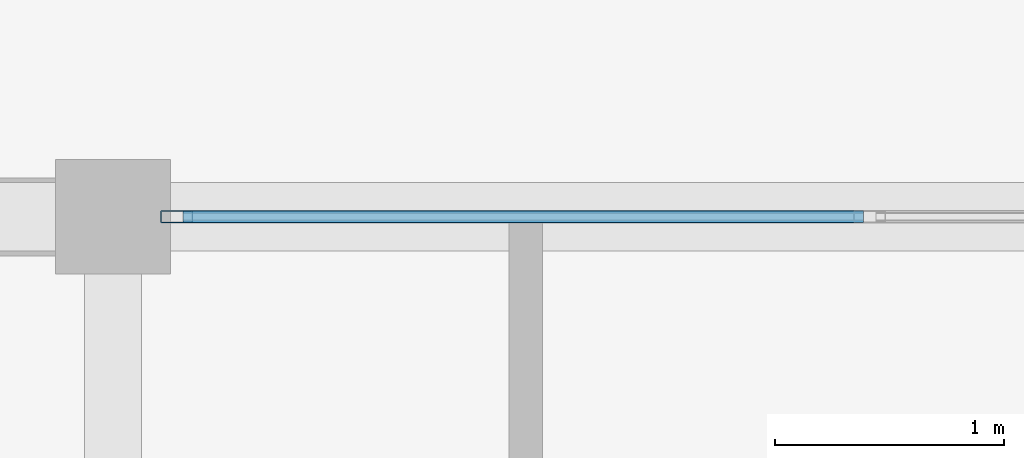
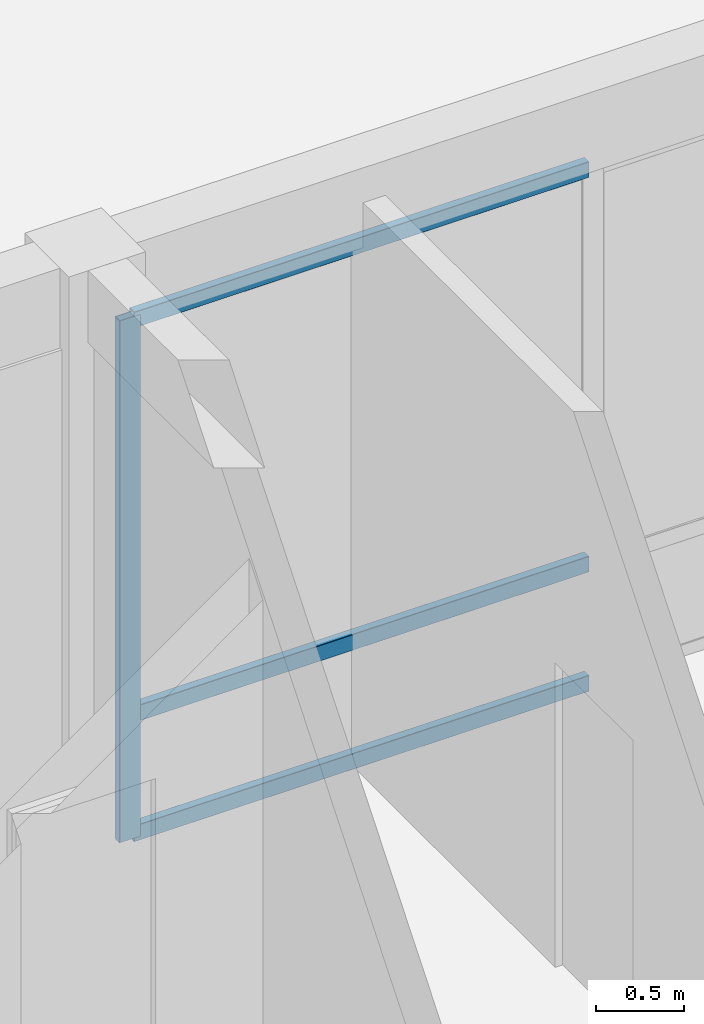
# One storey, part 31 of 92: 4 members, 1 element without a shape of its own.
"""IFC4 building model written with IfcOpenShell, lengths in metres."""

from ifc_helpers import new_model, si_unit, direction, frame, origin, origin_2d, place, context, subcontext, project, spatial, hollow_rectangle, extrude, material, material_profile, profile_set, type_object, element, aggregate, save


model = new_model("IFC4")

# Units and contexts
model_context = context("Model", 3, precision=1e-05, world=origin(), true_north=direction((0.0, 1.0)))
body_context = subcontext(model_context, "Body", "Model", "MODEL_VIEW")
ifc_project = project(units=[si_unit("LENGTHUNIT", "METRE"), si_unit("AREAUNIT", "SQUARE_METRE"), si_unit("VOLUMEUNIT", "CUBIC_METRE"), si_unit("PLANEANGLEUNIT", "RADIAN"), si_unit("MASSUNIT", "GRAM", prefix="KILO")], contexts=[model_context])

# Site, building, storey
site_placement = place(None, origin())
site = spatial("IfcSite", under=ifc_project, at=site_placement, CompositionType="ELEMENT")
building_placement = place(site_placement, origin())
building = spatial("IfcBuilding", under=site, at=building_placement, Name="Kernevlak Ridge Housing Community", CompositionType="ELEMENT")
storey_placement = place(building_placement, frame((0.0, 0.0, 4.199951171875)))
storey = spatial("IfcBuildingStorey", under=building, at=storey_placement, Name="L01", CompositionType="ELEMENT", Elevation=4.199951171875)

# Curtain wall, members
ifc_material_1 = material(Name="Aluminium EN AW-6060 anodised and laminated glass", Category="aluminium")
curtain_wall_type = type_object("IfcCurtainWallType", Name="CW-01", PredefinedType="NOTDEFINED", material=ifc_material_1)
curtain_wall_placement = place(storey_placement, origin())
curtain_wall = element("IfcCurtainWall", 1, at=curtain_wall_placement, inside=storey, type_object=curtain_wall_type, Name="Curtain wall CW-01 CW-L01-105", PredefinedType="NOTDEFINED")
ifc_material_2 = material(Name="Aluminium EN AW-6060 anodised", Category="aluminium")
ifc_material_profile_1 = material_profile(ifc_material_2, hollow_rectangle(XDim=0.054931640625, YDim=0.139892578125, WallThickness=0.00390625, InnerFilletRadius=0.001953125, OuterFilletRadius=0.00390625, at=origin_2d()), Name="ALU 55x140x4")
ifc_profile_set_1 = profile_set([ifc_material_profile_1], Name="Aluminium EN AW-6060 anodised")
member_type_1 = type_object("IfcMemberType", Name="MU-01", PredefinedType="MULLION", material=ifc_profile_set_1)
member_1_placement = place(storey_placement, frame((132.87744140625, 42.0, 0.0), z_axis=(0.0, 0.0, 1.0), x_axis=(0.0, 1.0, 0.0)))
member_1 = element("IfcMember", 2, at=member_1_placement, type_object=member_type_1, Name="CW-01 mullion 1", PredefinedType="MULLION", context=body_context, shape_type="SweptSolid", body=[
    extrude(hollow_rectangle(XDim=0.054931640625, YDim=0.139892578125, WallThickness=0.00390625, InnerFilletRadius=0.001953125, OuterFilletRadius=0.00390625, at=origin_2d()), origin(), (0.0, 0.0, 1.0), 3.60009765625),
])
ifc_material_profile_2 = material_profile(ifc_material_2, hollow_rectangle(XDim=0.054931640625, YDim=0.110107421875, WallThickness=0.00390625, InnerFilletRadius=0.001953125, OuterFilletRadius=0.00390625, at=origin_2d()), Name="ALU 55x110x4")
ifc_profile_set_2 = profile_set([ifc_material_profile_2], Name="Aluminium EN AW-6060 anodised")
member_type_2 = type_object("IfcMemberType", Name="TM-01", PredefinedType="USERDEFINED", material=ifc_profile_set_2)
member_2_placement = place(storey_placement, frame((132.905029296875, 42.0, 0.027587890625), z_axis=(1.0, 0.0, 0.0), x_axis=(0.0, 1.0, 0.0)))
member_2 = element("IfcMember", 3, at=member_2_placement, type_object=member_type_2, Name="CW-01 transom 1.1", ObjectType="TRANSOM", PredefinedType="USERDEFINED", context=body_context, shape_type="SweptSolid", body=[
    extrude(hollow_rectangle(XDim=0.054931640625, YDim=0.110107421875, WallThickness=0.00390625, InnerFilletRadius=0.001953125, OuterFilletRadius=0.00390625, at=origin_2d()), origin(), (0.0, 0.0, 1.0), 2.967529296875),
])
member_3_placement = place(storey_placement, frame((132.905029296875, 42.0, 0.85009765625), z_axis=(1.0, 0.0, 0.0), x_axis=(0.0, 1.0, 0.0)))
member_3 = element("IfcMember", 4, at=member_3_placement, type_object=member_type_2, Name="CW-01 transom 1.2", ObjectType="TRANSOM", PredefinedType="USERDEFINED", context=body_context, shape_type="SweptSolid", body=[
    extrude(hollow_rectangle(XDim=0.054931640625, YDim=0.110107421875, WallThickness=0.00390625, InnerFilletRadius=0.001953125, OuterFilletRadius=0.00390625, at=origin_2d()), origin(), (0.0, 0.0, 1.0), 2.967529296875),
])
member_4_placement = place(storey_placement, frame((132.905029296875, 42.0, 3.572509765625), z_axis=(1.0, 0.0, 0.0), x_axis=(0.0, 1.0, 0.0)))
member_4 = element("IfcMember", 5, at=member_4_placement, type_object=member_type_2, Name="CW-01 transom 1.3", ObjectType="TRANSOM", PredefinedType="USERDEFINED", context=body_context, shape_type="SweptSolid", body=[
    extrude(hollow_rectangle(XDim=0.054931640625, YDim=0.110107421875, WallThickness=0.00390625, InnerFilletRadius=0.001953125, OuterFilletRadius=0.00390625, at=origin_2d()), origin(), (0.0, 0.0, 1.0), 2.967529296875),
])
aggregate(curtain_wall, [member_1, member_2, member_3, member_4])

save(model, "model.ifc")
